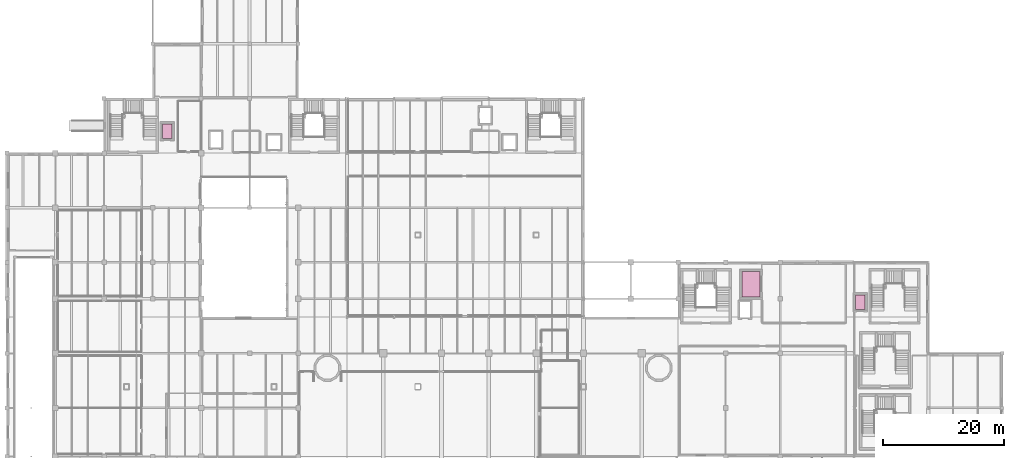
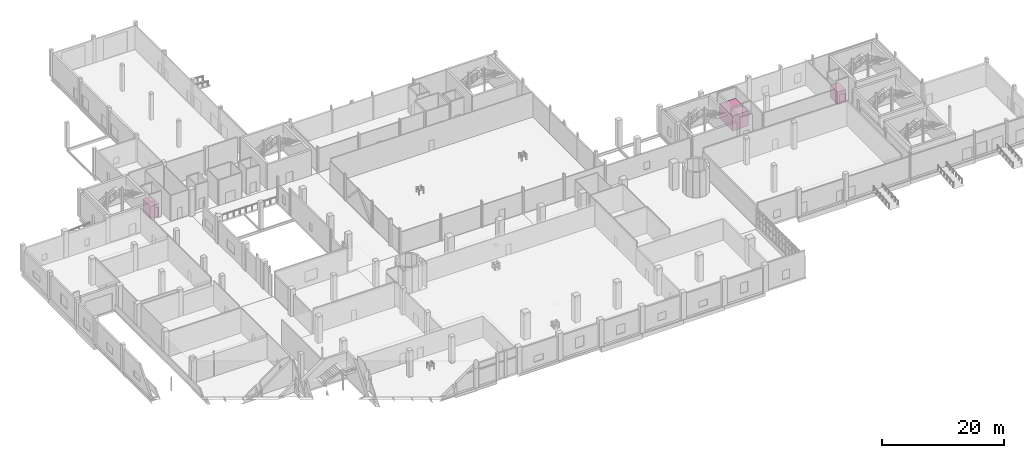
# One storey, part 57 of 57: 3 transport elements.
"""IFC4 building model written with IfcOpenShell, lengths in metres."""

from ifc_helpers import new_model, si_unit, derived_unit, direction, frame, origin, origin_2d, place, context, subcontext, project, spatial, rectangle, extrude, material, type_object, element, save


model = new_model("IFC4")

# Units and contexts
model_context = context("Model", 3, precision=1e-05, world=origin(), true_north=direction((0.0, 1.0)))
body_context = subcontext(model_context, "Body", "Model", "MODEL_VIEW")
ifc_project = project(units=[si_unit("LENGTHUNIT", "METRE"), si_unit("AREAUNIT", "SQUARE_METRE"), si_unit("VOLUMEUNIT", "CUBIC_METRE"), si_unit("PLANEANGLEUNIT", "RADIAN"), si_unit("MASSUNIT", "GRAM", prefix="KILO"), derived_unit("THERMALTRANSMITTANCEUNIT", [(si_unit("POWERUNIT", "WATT"), 1), (si_unit("LENGTHUNIT", "METRE"), -2), (si_unit("THERMODYNAMICTEMPERATUREUNIT", "KELVIN"), -1)])], contexts=[model_context])

# Site, building, storey
site_placement = place(None, origin())
site = spatial("IfcSite", under=ifc_project, at=site_placement, CompositionType="ELEMENT")
building_placement = place(site_placement, origin())
building = spatial("IfcBuilding", under=site, at=building_placement, Name="Nallur Shell Playhouse", CompositionType="ELEMENT")
storey_placement = place(building_placement, origin())
storey = spatial("IfcBuildingStorey", under=building, at=storey_placement, Name="L01", CompositionType="ELEMENT", Elevation=0.0)

# Transport elements
ifc_material = material(Name="Stainless Steel Brushed Car Finish", Category="steel")
transport_element_type_1 = type_object("IfcTransportElementType", Name="TP-CAR-PASS", PredefinedType="ELEVATOR", material=ifc_material)
for number, where, z_axis, x_axis, name in (
    (1, (148.60009765625, 49.39990234375, 0.0), (0.0, 0.0, 1.0), (1.0, 0.0, 0.0), "Studio Passenger Lift PL-5 elevator car (L01 to L04)"),
    (2, (34.39990234375, 77.60009765625, 0.0), (0.0, 0.0, 1.0), (1.0, 0.0, 0.0), "Production Passenger Lift PL-6 elevator car (L01 to L06)"),
):
    element("IfcTransportElement", number, at=place(storey_placement, frame(where, z_axis=z_axis, x_axis=x_axis)), inside=storey, type_object=transport_element_type_1, Name=name, PredefinedType="ELEVATOR", context=body_context, shape_type="SweptSolid", body=[
        extrude(rectangle(XDim=1.60009765625, YDim=2.39990234375, at=origin_2d()), origin(), (0.0, 0.0, 1.0), 2.5),
    ])
transport_element_type_2 = type_object("IfcTransportElementType", Name="TP-CAR-SCENERY", PredefinedType="ELEVATOR", material=ifc_material)
transport_element_placement = place(storey_placement, frame((130.60009765625, 52.39990234375, 0.0), z_axis=(0.0, 0.0, 1.0), x_axis=(1.0, 0.0, 0.0)))
element("IfcTransportElement", 3, at=transport_element_placement, inside=storey, type_object=transport_element_type_2, Name="Stage Service Lift SL-2 elevator car (L01 to L04)", PredefinedType="ELEVATOR", context=body_context, shape_type="SweptSolid", body=[
    extrude(rectangle(XDim=3.0, YDim=4.199951171875, at=origin_2d()), origin(), (0.0, 0.0, 1.0), 3.0),
])

save(model, "model.ifc")
